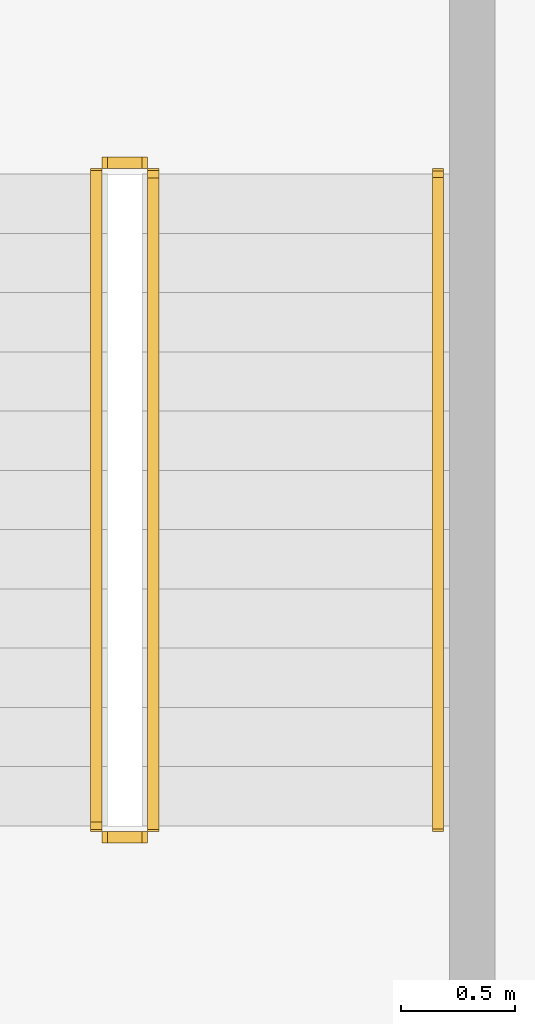
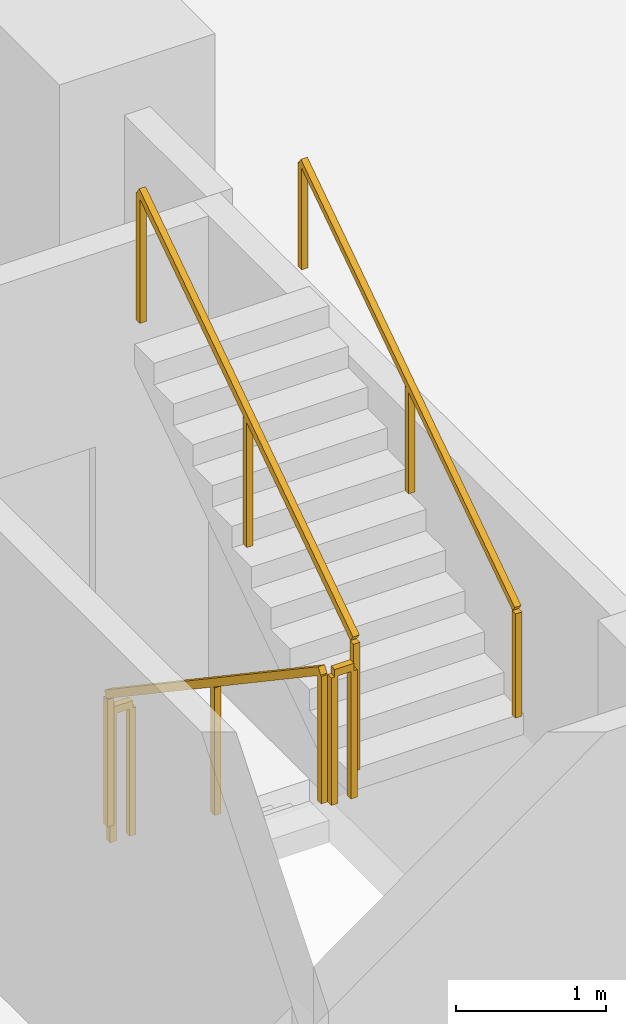
# One storey, part 14 of 16: 5 railings.
"""IFC4 building model written with IfcOpenShell, lengths in metres."""

from ifc_helpers import new_model, si_unit, direction, frame, origin, origin_2d, place, context, subcontext, project, spatial, rectangle, extrude, material, type_object, element, save


model = new_model("IFC4")

# Units and contexts
model_context = context("Model", 3, precision=1e-05, world=origin(), true_north=direction((0.0, 1.0)))
body_context = subcontext(model_context, "Body", "Model", "MODEL_VIEW")
ifc_project = project(units=[si_unit("LENGTHUNIT", "METRE"), si_unit("AREAUNIT", "SQUARE_METRE"), si_unit("VOLUMEUNIT", "CUBIC_METRE"), si_unit("PLANEANGLEUNIT", "RADIAN"), si_unit("MASSUNIT", "GRAM", prefix="KILO")], contexts=[model_context])

# Site, building, storey
site_placement = place(None, origin())
site = spatial("IfcSite", under=ifc_project, at=site_placement, CompositionType="ELEMENT")
building_placement = place(site_placement, origin())
building = spatial("IfcBuilding", under=site, at=building_placement, Name="Khepri Terraces", CompositionType="ELEMENT")
storey_placement = place(building_placement, frame((0.0, 0.0, -4.199951171875)))
storey = spatial("IfcBuildingStorey", under=building, at=storey_placement, Name="B1", CompositionType="ELEMENT", Elevation=-4.199951171875)

# Railings
ifc_material = material(Name="Stainless steel 316", Category="steel")
railing_type_1 = type_object("IfcRailingType", Name="RL-POD-GUARD", PredefinedType="GUARDRAIL", material=ifc_material)
railing_1_placement = place(storey_placement, frame((23.449951171875, -20.050048828125, 0.175048828125)))
element("IfcRailing", 1, at=railing_1_placement, inside=storey, type_object=railing_type_1, Name="B1 PS-3 stair guard 1", PredefinedType="GUARDRAIL", context=body_context, shape_type="SweptSolid", body=[
    extrude(rectangle(XDim=0.050048828125, YDim=0.06005859375, at=origin_2d()), frame((0.0, 0.0, 1.070068359375), z_axis=(0.0, -0.829601626839, 0.558355747482), x_axis=(1.0, 0.0, 0.0)), (0.0, 0.0, 1.0), 3.447265625),
    extrude(rectangle(XDim=0.050048828125, YDim=0.050048828125, at=origin_2d()), origin(), (0.0, 0.0, 1.0), 1.0400390625),
    extrude(rectangle(XDim=0.050048828125, YDim=0.050048828125, at=origin_2d()), frame((0.0, -1.429931640625, 0.96240234375)), (0.0, 0.0, 1.0), 1.0400390625),
    extrude(rectangle(XDim=0.050048828125, YDim=0.050048828125, at=origin_2d()), frame((0.0, -2.85986328125, 1.9248046875)), (0.0, 0.0, 1.0), 1.0400390625),
])
railing_2_placement = place(storey_placement, frame((23.5, -22.9599609375, 2.099853515625)))
element("IfcRailing", 2, at=railing_2_placement, inside=storey, type_object=railing_type_1, Name="B1 PS-3 stair guard 2", PredefinedType="GUARDRAIL", context=body_context, shape_type="SweptSolid", body=[
    extrude(rectangle(XDim=0.050048828125, YDim=0.06005859375, at=origin_2d()), frame((0.0, 0.0, 1.070068359375), z_axis=(1.0, 0.0, 0.0), x_axis=(0.0, 1.0, 0.0)), (0.0, 0.0, 1.0), 0.14990234375),
    extrude(rectangle(XDim=0.050048828125, YDim=0.050048828125, at=origin_2d()), origin(), (0.0, 0.0, 1.0), 1.0400390625),
    extrude(rectangle(XDim=0.050048828125, YDim=0.050048828125, at=origin_2d()), frame((0.14990234375, 0.0, 0.0)), (0.0, 0.0, 1.0), 1.0400390625),
])
railing_3_placement = place(storey_placement, frame((23.699951171875, -22.909912109375, 2.27490234375)))
element("IfcRailing", 3, at=railing_3_placement, inside=storey, type_object=railing_type_1, Name="B1 PS-3 stair guard 3", PredefinedType="GUARDRAIL", context=body_context, shape_type="SweptSolid", body=[
    extrude(rectangle(XDim=0.050048828125, YDim=0.06005859375, at=origin_2d()), frame((0.0, 0.0, 1.070068359375), z_axis=(0.0, 0.829568821333, 0.558404486615), x_axis=(-1.0, 0.0, 0.0)), (0.0, 0.0, 1.0), 3.447509765625),
    extrude(rectangle(XDim=0.050048828125, YDim=0.050048828125, at=origin_2d()), origin(), (0.0, 0.0, 1.0), 1.0400390625),
    extrude(rectangle(XDim=0.050048828125, YDim=0.050048828125, at=origin_2d()), frame((0.0, 1.429931640625, 0.96240234375)), (0.0, 0.0, 1.0), 1.0400390625),
    extrude(rectangle(XDim=0.050048828125, YDim=0.050048828125, at=origin_2d()), frame((0.0, 2.85986328125, 1.925048828125)), (0.0, 0.0, 1.0), 1.0400390625),
])
railing_4_placement = place(storey_placement, frame((23.5, -20.0, 0.0)))
element("IfcRailing", 4, at=railing_4_placement, inside=storey, type_object=railing_type_1, Name="B1 PS-3 stair guard 4", PredefinedType="GUARDRAIL", context=body_context, shape_type="SweptSolid", body=[
    extrude(rectangle(XDim=0.050048828125, YDim=0.06005859375, at=origin_2d()), frame((0.0, 0.0, 1.070068359375), z_axis=(1.0, 0.0, 0.0), x_axis=(0.0, 1.0, 0.0)), (0.0, 0.0, 1.0), 0.14990234375),
    extrude(rectangle(XDim=0.050048828125, YDim=0.050048828125, at=origin_2d()), origin(), (0.0, 0.0, 1.0), 1.0400390625),
    extrude(rectangle(XDim=0.050048828125, YDim=0.050048828125, at=origin_2d()), frame((0.14990234375, 0.0, 0.0)), (0.0, 0.0, 1.0), 1.0400390625),
])
railing_type_2 = type_object("IfcRailingType", Name="RL-POD-HANDRAIL", PredefinedType="HANDRAIL", material=ifc_material)
railing_5_placement = place(storey_placement, frame((24.949951171875, -22.909912109375, 2.27490234375)))
element("IfcRailing", 5, at=railing_5_placement, inside=storey, type_object=railing_type_2, Name="B1 PS-3 stair handrail 2", PredefinedType="HANDRAIL", context=body_context, shape_type="SweptSolid", body=[
    extrude(rectangle(XDim=0.050048828125, YDim=0.050048828125, at=origin_2d()), frame((0.0, 0.0, 0.875), z_axis=(0.0, 0.829568821333, 0.558404486615), x_axis=(-1.0, 0.0, 0.0)), (0.0, 0.0, 1.0), 3.447509765625),
    extrude(rectangle(XDim=0.050048828125, YDim=0.050048828125, at=origin_2d()), origin(), (0.0, 0.0, 1.0), 0.849853515625),
    extrude(rectangle(XDim=0.050048828125, YDim=0.050048828125, at=origin_2d()), frame((0.0, 1.429931640625, 0.96240234375)), (0.0, 0.0, 1.0), 0.849853515625),
    extrude(rectangle(XDim=0.050048828125, YDim=0.050048828125, at=origin_2d()), frame((0.0, 2.85986328125, 1.925048828125)), (0.0, 0.0, 1.0), 0.849853515625),
])

save(model, "model.ifc")
